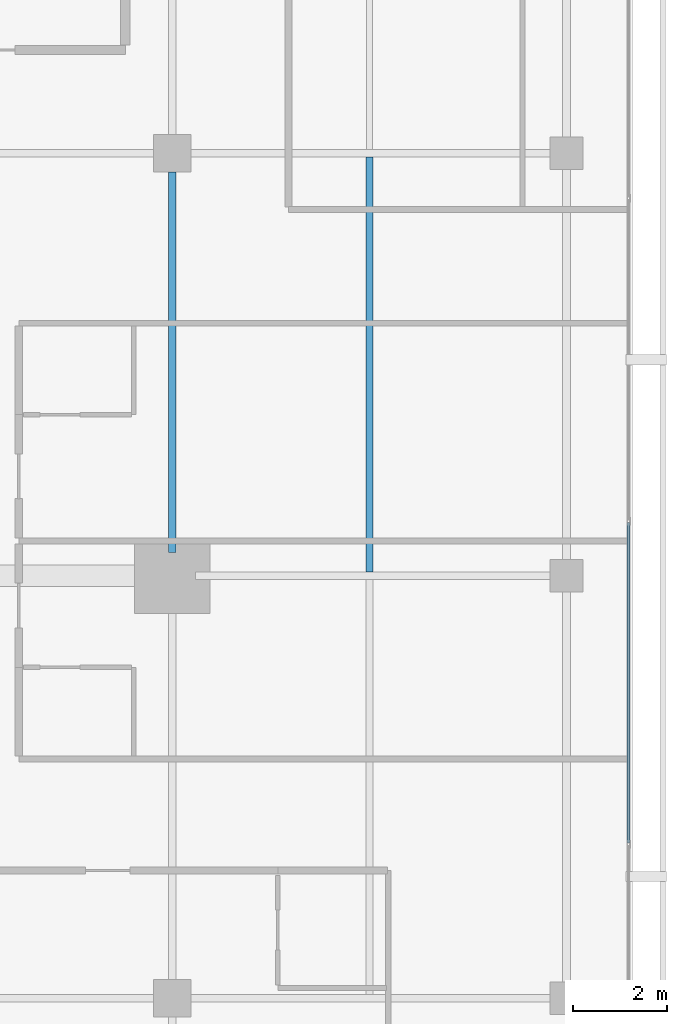
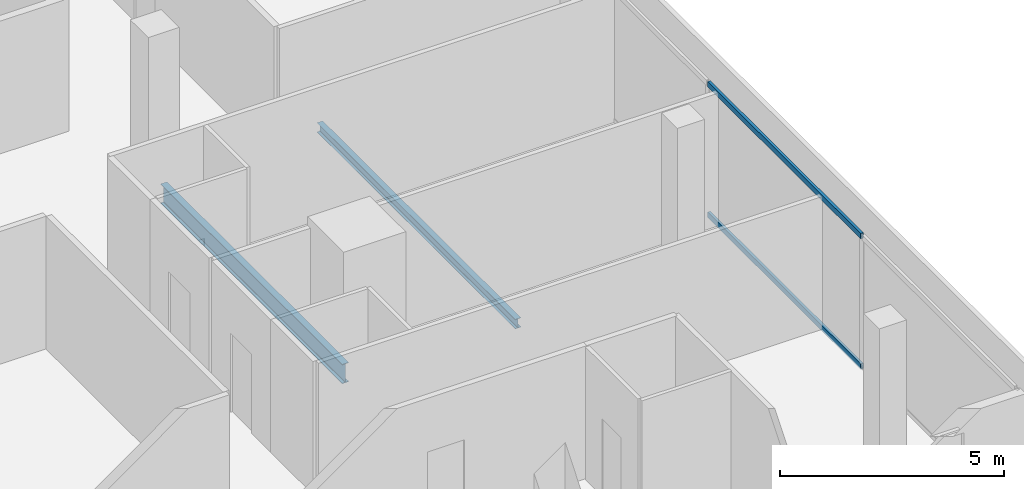
# One storey, part 13 of 25: 2 beams, 2 members, 1 element without a shape of its own.
"""IFC4 building model written with IfcOpenShell, lengths in metres."""

from ifc_helpers import new_model, si_unit, direction, frame, origin, origin_2d, place, context, subcontext, project, spatial, hollow_rectangle, i_section, extrude, material, layer, layer_set, material_profile, profile_set, type_object, element, aggregate, save


model = new_model("IFC4")

# Units and contexts
model_context = context("Model", 3, precision=1e-05, world=origin(), true_north=direction((0.0, 1.0)))
body_context = subcontext(model_context, "Body", "Model", "MODEL_VIEW")
ifc_project = project(units=[si_unit("LENGTHUNIT", "METRE"), si_unit("AREAUNIT", "SQUARE_METRE"), si_unit("VOLUMEUNIT", "CUBIC_METRE"), si_unit("PLANEANGLEUNIT", "RADIAN"), si_unit("MASSUNIT", "GRAM", prefix="KILO")], contexts=[model_context])

# Site, building, storey
site_placement = place(None, origin())
site = spatial("IfcSite", under=ifc_project, at=site_placement, CompositionType="ELEMENT")
building_placement = place(site_placement, origin())
building = spatial("IfcBuilding", under=site, at=building_placement, Name="Maruvema Waterfront Hotel and Observation Tower", CompositionType="ELEMENT")
storey_placement = place(building_placement, frame((0.0, 0.0, 281.75)))
storey = spatial("IfcBuildingStorey", under=building, at=storey_placement, Name="L69", CompositionType="ELEMENT", Elevation=281.75)

# Curtain wall, members
ifc_material_1 = material(Name="Anodised bronze aluminium and solar-control low-E IGU", Category="aluminium")
ifc_layer = layer(ifc_material_1, 0.159912109375, Name="Zone 3 Champagne Inner Thermal Curtain Wall System CW-04")
ifc_layer_set = layer_set([ifc_layer], Name="Anodised bronze aluminium and solar-control low-E IGU")
curtain_wall_type = type_object("IfcCurtainWallType", Name="Zone 3 Champagne Inner Thermal Curtain Wall System CW-04", PredefinedType="USERDEFINED", material=ifc_layer_set)
curtain_wall_placement = place(storey_placement, origin())
curtain_wall = element("IfcCurtainWall", 1, at=curtain_wall_placement, inside=storey, type_object=curtain_wall_type, Name="L69 Curtain Wall CW-L69-E", ObjectType="UNITISED CURTAIN WALL", PredefinedType="USERDEFINED")
ifc_material_2 = material(Name="Anodised architectural bronze aluminium", Category="aluminium")
ifc_material_profile_1 = material_profile(ifc_material_2, hollow_rectangle(XDim=0.070068359375, YDim=0.14990234375, WallThickness=0.00390625, at=origin_2d()), Name="ALU-T70x150")
ifc_profile_set_1 = profile_set([ifc_material_profile_1], Name="Anodised architectural bronze aluminium")
member_type = type_object("IfcMemberType", Name="Curtain Wall Horizontal Transom ALU-T70x150", PredefinedType="USERDEFINED", material=ifc_profile_set_1)
member_1_placement = place(storey_placement, frame((60.1201171875, 21.31005859375, 0.030029296875), z_axis=(0.0, 1.0, 0.0), x_axis=(-1.0, 0.0, 0.0)))
member_1 = element("IfcMember", 2, at=member_1_placement, type_object=member_type, Name="CW-04 transom 2.1", ObjectType="TRANSOM", PredefinedType="USERDEFINED", context=body_context, shape_type="SweptSolid", body=[
    extrude(hollow_rectangle(XDim=0.070068359375, YDim=0.14990234375, WallThickness=0.00390625, at=origin_2d()), origin(), (0.0, 0.0, 1.0), 6.81982421875),
])
member_2_placement = place(storey_placement, frame((60.1201171875, 21.31005859375, 3.580078125), z_axis=(0.0, 1.0, 0.0), x_axis=(-1.0, 0.0, 0.0)))
member_2 = element("IfcMember", 3, at=member_2_placement, type_object=member_type, Name="CW-04 transom 2.2", ObjectType="TRANSOM", PredefinedType="USERDEFINED", context=body_context, shape_type="SweptSolid", body=[
    extrude(hollow_rectangle(XDim=0.070068359375, YDim=0.14990234375, WallThickness=0.00390625, at=origin_2d()), origin(), (0.0, 0.0, 1.0), 6.81982421875),
])
aggregate(curtain_wall, [member_1, member_2])

# Beams
ifc_material_3 = material(Name="Steel ASTM A572 Grade 50", Category="steel")
ifc_material_profile_2 = material_profile(ifc_material_3, i_section(OverallWidth=0.166015625, OverallDepth=0.529052734375, WebThickness=0.009765625, FlangeThickness=0.013671875, FilletRadius=0.014892578125, at=origin_2d()), Name="W530x74.0")
ifc_profile_set_2 = profile_set([ifc_material_profile_2], Name="Steel ASTM A572 Grade 50")
beam_type_1 = type_object("IfcBeamType", Name="Primary Floor Girder W530x74.0", PredefinedType="BEAM", material=ifc_profile_set_2)
beam_1_placement = place(storey_placement, frame((50.39990234375, 27.5, -0.50439453125), z_axis=(0.0, 1.0, 0.0), x_axis=(-1.0, 0.0, 0.0)))
element("IfcBeam", 4, at=beam_1_placement, inside=storey, type_object=beam_type_1, Name="L69 Floor Girder NS-14", PredefinedType="BEAM", context=body_context, shape_type="SweptSolid", body=[
    extrude(i_section(OverallWidth=0.166015625, OverallDepth=0.529052734375, WebThickness=0.009765625, FlangeThickness=0.013671875, FilletRadius=0.014892578125, at=origin_2d()), origin(), (0.0, 0.0, 1.0), 8.10009765625),
])
ifc_material_4 = material(Name="Steel ASTM A572 Grade 50", Category="steel")
ifc_material_profile_3 = material_profile(ifc_material_4, i_section(OverallWidth=0.14599609375, OverallDepth=0.258056640625, WebThickness=0.006103515625, FlangeThickness=0.009033203125, FilletRadius=0.012939453125, at=origin_2d()), Name="W250x32.7")
ifc_profile_set_3 = profile_set([ifc_material_profile_3], Name="Steel ASTM A572 Grade 50")
beam_type_2 = type_object("IfcBeamType", Name="Secondary Floor Joist W250x32.7", PredefinedType="JOIST", material=ifc_profile_set_3)
beam_2_placement = place(storey_placement, frame((54.60009765625, 27.0830078125, -0.368896484375), z_axis=(0.0, 1.0, 0.0), x_axis=(-1.0, 0.0, 0.0)))
element("IfcBeam", 5, at=beam_2_placement, inside=storey, type_object=beam_type_2, Name="L69 Secondary Floor Joist JS-08", PredefinedType="JOIST", context=body_context, shape_type="SweptSolid", body=[
    extrude(i_section(OverallWidth=0.14599609375, OverallDepth=0.258056640625, WebThickness=0.006103515625, FlangeThickness=0.009033203125, FilletRadius=0.012939453125, at=origin_2d()), origin(), (0.0, 0.0, 1.0), 8.833984375),
])

save(model, "model.ifc")
